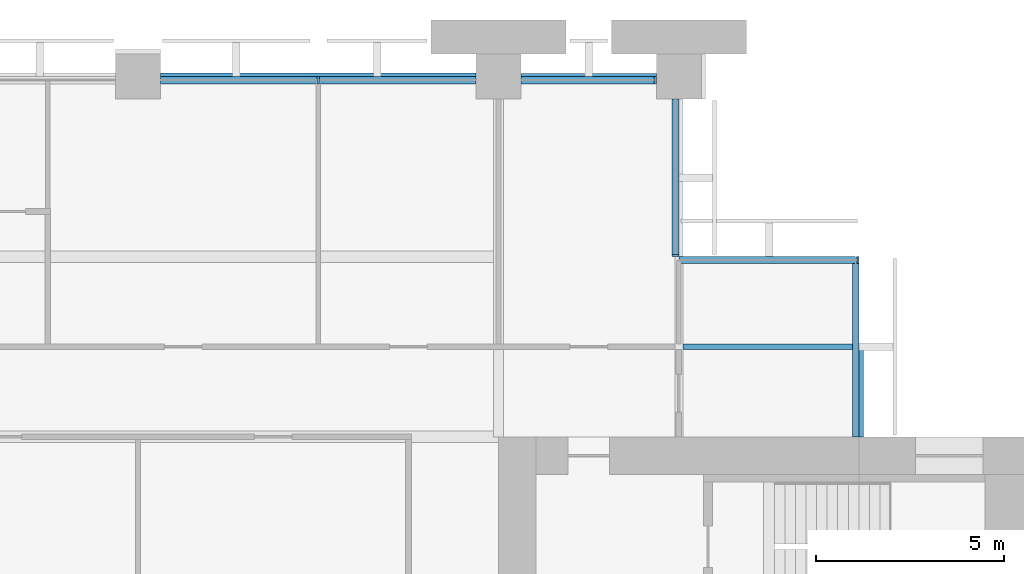
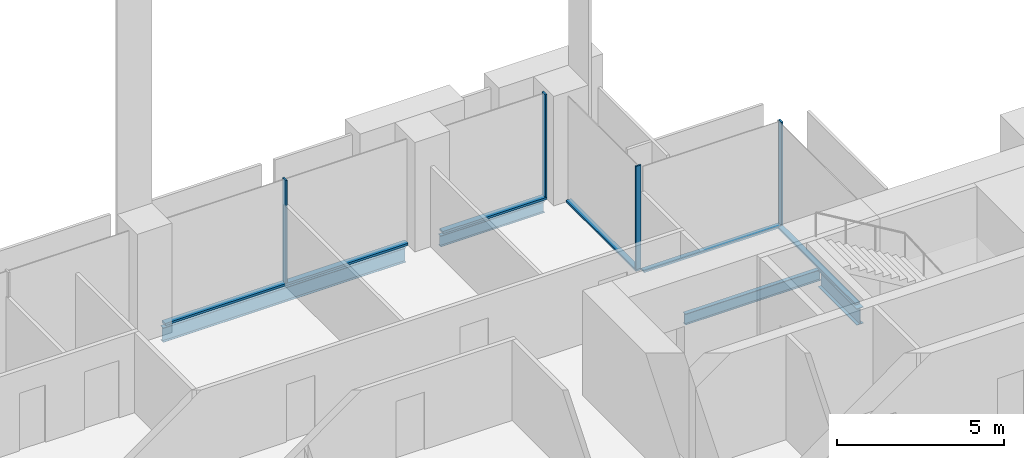
# One storey, part 7 of 14: 9 members, 4 beams, 4 elements without a shape of their own.
"""IFC4 building model written with IfcOpenShell, lengths in metres."""

import ifcopenshell
import ifcopenshell.guid

model = None  # the IFC model being written
_history = None  # IfcOwnerHistory: only IFC2X3 demands one
_inside = {}  # id of a spatial element -> (the spatial element, [elements in it])
_under = {}  # id of a project, library or spatial element -> (it, [spatial elements below it])
_declared = {}  # id of a project -> (the project, [libraries it declares])
_typed = {}  # id of a type object -> (the type object, [elements of that type])
_made_of = {}  # id of a material, layer set ... -> (it, [elements and type objects made of it])


def new_model(schema):
    """Start an empty IFC model of exactly this schema.

    Asked for "IFC4X3", IfcOpenShell would pick the latest addendum, in which some entities
    have other attributes; the version numbers below select the first issue.
    IFC2X3 requires an IfcOwnerHistory on every rooted entity: one is made here for all.
    """
    global model, _history
    if schema == "IFC4X3":
        model = ifcopenshell.file(schema_version=(4, 3, 0, 0))
    else:
        model = ifcopenshell.file(schema=schema)
    _inside.clear()
    _under.clear()
    _declared.clear()
    _typed.clear()
    _made_of.clear()
    _history = None
    if model.schema == "IFC2X3":
        org = make("IfcOrganization", Name="unknown")
        user = make(
            "IfcPersonAndOrganization",
            ThePerson=make("IfcPerson", FamilyName="unknown"),
            TheOrganization=org,
        )
        app = make(
            "IfcApplication",
            ApplicationDeveloper=org,
            Version="unknown",
            ApplicationFullName="unknown",
            ApplicationIdentifier="unknown",
        )
        _history = make(
            "IfcOwnerHistory",
            OwningUser=user,
            OwningApplication=app,
            ChangeAction="ADDED",
            CreationDate=0,
        )
    return model


def make(cls, **values):
    """One entity of the class cls with the attributes given. An attribute that is None is left unset."""
    return model.create_entity(
        cls, **{name: value for name, value in values.items() if value is not None}
    )


def rooted(cls, **values):
    """An entity with a GlobalId (a new one), such as an element, a storey or a relation."""
    return make(cls, GlobalId=ifcopenshell.guid.new(), OwnerHistory=_history, **values)


def si_unit(unit_type, name, prefix=None):
    """IfcSIUnit, for example si_unit("LENGTHUNIT", "METRE", prefix="MILLI")."""
    return make("IfcSIUnit", UnitType=unit_type, Prefix=prefix, Name=name)


def assignment(units):
    """IfcUnitAssignment: the units of a project."""
    return None if units is None else make("IfcUnitAssignment", Units=units)


def point(xyz):
    """IfcCartesianPoint."""
    return None if xyz is None else make("IfcCartesianPoint", Coordinates=xyz)


def direction(xyz):
    """IfcDirection."""
    return None if xyz is None else make("IfcDirection", DirectionRatios=xyz)


def frame(location, z_axis=None, x_axis=None):
    """IfcAxis2Placement3D, a coordinate frame: its origin and axes. An axis left out is left unset."""
    return make(
        "IfcAxis2Placement3D",
        Location=point(location),
        Axis=direction(z_axis),
        RefDirection=direction(x_axis),
    )


def frame_2d(location, x_axis=None):
    """IfcAxis2Placement2D, a coordinate frame in the plane: its origin and x axis."""
    return make(
        "IfcAxis2Placement2D", Location=point(location), RefDirection=direction(x_axis)
    )


def origin():
    """The frame at (0, 0, 0) with its axes left unset."""
    return frame((0.0, 0.0, 0.0))


def origin_2d():
    """The frame at (0, 0) in the plane with its x axis left unset."""
    return frame_2d((0.0, 0.0))


def place(relative_to, where):
    """IfcLocalPlacement: puts the frame where relative to a parent placement (None: the world)."""
    return make(
        "IfcLocalPlacement", PlacementRelTo=relative_to, RelativePlacement=where
    )


def context(
    kind, dimensions, precision=None, world=None, true_north=None, identifier=None
):
    """IfcGeometricRepresentationContext, for example the 3D "Model" context."""
    return make(
        "IfcGeometricRepresentationContext",
        ContextIdentifier=identifier,
        ContextType=kind,
        CoordinateSpaceDimension=dimensions,
        Precision=precision,
        WorldCoordinateSystem=world,
        TrueNorth=true_north,
    )


def subcontext(parent, identifier, kind, view, scale=None):
    """IfcGeometricRepresentationSubContext, for example "Body" below "Model"."""
    return make(
        "IfcGeometricRepresentationSubContext",
        ContextIdentifier=identifier,
        ContextType=kind,
        ParentContext=parent,
        TargetScale=scale,
        TargetView=view,
    )


def project(units=None, contexts=None):
    """IfcProject with its units and contexts."""
    return rooted(
        "IfcProject",
        Name="project",
        RepresentationContexts=contexts,
        UnitsInContext=assignment(units),
    )


def spatial(cls, under=None, at=None, **own):
    """A site, building, storey or space (cls), placed at a placement, below another one or the project."""
    s = rooted(cls, ObjectPlacement=at, **own)
    if under is not None:
        _under.setdefault(under.id(), (under, []))[1].append(s)
    return s


def profile(cls, at=None, kind="AREA", **sizes):
    """A parametric profile (cls). Its sizes go by their IFC names, for example OverallWidth=200.0."""
    return make(cls, ProfileType=kind, Position=at, **sizes)


def rectangle(**sizes):
    """IfcRectangleProfileDef."""
    return profile("IfcRectangleProfileDef", **sizes)


def i_section(**sizes):
    """IfcIShapeProfileDef."""
    return profile("IfcIShapeProfileDef", **sizes)


def extrude(swept, where, along, depth):
    """IfcExtrudedAreaSolid: the profile swept, set in the frame where, extruded along a direction by depth."""
    return make(
        "IfcExtrudedAreaSolid",
        SweptArea=swept,
        Position=where,
        ExtrudedDirection=direction(along),
        Depth=depth,
    )


def shape(context_of_items, identifier, shape_type, items):
    """IfcShapeRepresentation: the items that make up one representation, for example the "Body"."""
    return make(
        "IfcShapeRepresentation",
        ContextOfItems=context_of_items,
        RepresentationIdentifier=identifier,
        RepresentationType=shape_type,
        Items=items,
    )


def material(Name=None, Category=None):
    """IfcMaterial."""
    return make("IfcMaterial", Name=Name, Category=Category)


def material_profile(
    of_material, cross_section, Name=None, Category=None, Priority=None
):
    """IfcMaterialProfile: a cross section and its material."""
    return make(
        "IfcMaterialProfile",
        Name=Name,
        Material=of_material,
        Profile=cross_section,
        Priority=Priority,
        Category=Category,
    )


def profile_set(profiles, Name=None, composite=None):
    """IfcMaterialProfileSet."""
    return make(
        "IfcMaterialProfileSet",
        Name=Name,
        MaterialProfiles=profiles,
        CompositeProfile=composite,
    )


def made_of(thing, what):
    """Note that an element or type object is made of a material, layer set ...; save() writes the relation."""
    if what is not None:
        _made_of.setdefault(what.id(), (what, []))[1].append(thing)
    return thing


def type_object(cls, material=None, **own):
    """A type object (cls), such as IfcWallType, which elements share."""
    return made_of(rooted(cls, **own), material)


def element(
    cls,
    number,
    at=None,
    inside=None,
    cuts=None,
    type_object=None,
    material=None,
    context=None,
    identifier="Body",
    shape_type=None,
    held_by="IfcProductDefinitionShape",
    body=None,
    shapes=None,
    **own,
):
    """One element of the class cls, such as IfcWall. Its Tag is "e" and its number.

    at: its placement. inside: the storey or other place that contains it. cuts: it is an
    opening in that element (IfcRelVoidsElement). A single representation is given by context,
    identifier, shape_type and body (its items); several are given by shapes. held_by: the class
    of the entity that holds the representations. save() writes the other relations.
    """
    e = rooted(cls, Tag="e%d" % number, ObjectPlacement=at, **own)
    if body is not None:
        shapes = [shape(context, identifier, shape_type, body)]
    if shapes is not None:
        e.Representation = make(held_by, Representations=shapes)
    if inside is not None:
        _inside.setdefault(inside.id(), (inside, []))[1].append(e)
    if cuts is not None:
        rooted(
            "IfcRelVoidsElement", RelatingBuildingElement=cuts, RelatedOpeningElement=e
        )
    if type_object is not None:
        _typed.setdefault(type_object.id(), (type_object, []))[1].append(e)
    return made_of(e, material)


def aggregate(whole, parts):
    """IfcRelAggregates: a whole, such as a stair, and the parts it consists of."""
    return rooted("IfcRelAggregates", RelatingObject=whole, RelatedObjects=parts)


def save(model, path):
    """Write the relations noted so far, then the file.

    IfcRelAggregates (storeys below a building ...), IfcRelContainedInSpatialStructure (elements
    in a storey), IfcRelDefinesByType, IfcRelAssociatesMaterial and IfcRelDeclares: one each for
    every whole, place, type object, material and project.
    """
    for whole, parts in _under.values():
        aggregate(whole, parts)
    for where, things in _inside.values():
        rooted(
            "IfcRelContainedInSpatialStructure",
            RelatedElements=things,
            RelatingStructure=where,
        )
    for kind, things in _typed.values():
        rooted("IfcRelDefinesByType", RelatedObjects=things, RelatingType=kind)
    for what, things in _made_of.values():
        rooted("IfcRelAssociatesMaterial", RelatedObjects=things, RelatingMaterial=what)
    for by, libraries in _declared.values():
        rooted("IfcRelDeclares", RelatingContext=by, RelatedDefinitions=libraries)
    model.write(path)


model = new_model("IFC4")

# Units and contexts
model_context = context("Model", 3, precision=1e-05, world=origin(), true_north=direction((0.0, 1.0)))
body_context = subcontext(model_context, "Body", "Model", "MODEL_VIEW")
ifc_project = project(units=[si_unit("LENGTHUNIT", "METRE"), si_unit("AREAUNIT", "SQUARE_METRE"), si_unit("VOLUMEUNIT", "CUBIC_METRE"), si_unit("PLANEANGLEUNIT", "RADIAN"), si_unit("MASSUNIT", "GRAM", prefix="KILO")], contexts=[model_context])

# Site, building, storey
site_placement = place(None, origin())
site = spatial("IfcSite", under=ifc_project, at=site_placement, CompositionType="ELEMENT")
building_placement = place(site_placement, origin())
building = spatial("IfcBuilding", under=site, at=building_placement, Name="Baori Bourse Tower", CompositionType="ELEMENT")
storey_placement = place(building_placement, frame((0.0, 0.0, 156.10009765625)))
storey = spatial("IfcBuildingStorey", under=building, at=storey_placement, Name="L34", CompositionType="ELEMENT", Elevation=156.10009765625)

# Curtain wall, members
ifc_material_1 = material(Name="Pale anodised aluminium", Category="aluminium")
curtain_wall_type_1 = type_object("IfcCurtainWallType", Name="CW1 Curtain wall", PredefinedType="NOTDEFINED", material=ifc_material_1)
curtain_wall_1_placement = place(storey_placement, origin())
curtain_wall_1 = element("IfcCurtainWall", 1, at=curtain_wall_1_placement, inside=storey, type_object=curtain_wall_type_1, Name="Curtain wall CW1 L34 4", PredefinedType="NOTDEFINED")
ifc_material_2 = material(Name="Pale anodised aluminium", Category="aluminium")
ifc_material_profile_1 = material_profile(ifc_material_2, rectangle(XDim=0.199951171875, YDim=0.06005859375, at=origin_2d()), Name="Mullion 60x200")
ifc_profile_set_1 = profile_set([ifc_material_profile_1], Name="Pale anodised aluminium")
member_type_1 = type_object("IfcMemberType", Name="CW1 Curtain wall mullion", PredefinedType="MULLION", material=ifc_profile_set_1)
member_1_placement = place(storey_placement, frame((42.570068359375, 47.89990234375, 0.079833984375), z_axis=(0.0, 0.0, 1.0), x_axis=(0.0, -1.0, 0.0)))
member_1 = element("IfcMember", 2, at=member_1_placement, type_object=member_type_1, Name="Curtain wall CW1 mullion", PredefinedType="MULLION", context=body_context, shape_type="SweptSolid", body=[
    extrude(rectangle(XDim=0.199951171875, YDim=0.06005859375, at=origin_2d()), origin(), (0.0, 0.0, 1.0), 3.760009765625),
])
member_2_placement = place(storey_placement, frame((33.60009765625, 47.89990234375, 0.079833984375), z_axis=(0.0, 0.0, 1.0), x_axis=(0.0, -1.0, 0.0)))
member_2 = element("IfcMember", 3, at=member_2_placement, type_object=member_type_1, Name="Curtain wall CW1 mullion", PredefinedType="MULLION", context=body_context, shape_type="SweptSolid", body=[
    extrude(rectangle(XDim=0.199951171875, YDim=0.06005859375, at=origin_2d()), origin(), (0.0, 0.0, 1.0), 3.760009765625),
])
ifc_material_3 = material(Name="Pale anodised aluminium", Category="aluminium")
ifc_material_profile_2 = material_profile(ifc_material_3, rectangle(XDim=0.199951171875, YDim=0.080078125, at=origin_2d()), Name="Transom 80x200")
ifc_profile_set_2 = profile_set([ifc_material_profile_2], Name="Pale anodised aluminium")
member_type_2 = type_object("IfcMemberType", Name="CW1 Curtain wall transom", PredefinedType="USERDEFINED", material=ifc_profile_set_2)
member_3_placement = place(storey_placement, frame((42.60009765625, 47.89990234375, 0.039794921875), z_axis=(-1.0, 0.0, 0.0), x_axis=(0.0, -1.0, 0.0)))
member_3 = element("IfcMember", 4, at=member_3_placement, type_object=member_type_2, Name="Curtain wall CW1 sill rail", ObjectType="TRANSOM", PredefinedType="USERDEFINED", context=body_context, shape_type="SweptSolid", body=[
    extrude(rectangle(XDim=0.199951171875, YDim=0.080078125, at=origin_2d()), origin(), (0.0, 0.0, 1.0), 3.60009765625),
])
member_4_placement = place(storey_placement, frame((37.800048828125, 47.89990234375, 0.039794921875), z_axis=(-1.0, 0.0, 0.0), x_axis=(0.0, -1.0, 0.0)))
member_4 = element("IfcMember", 5, at=member_4_placement, type_object=member_type_2, Name="Curtain wall CW1 sill rail", ObjectType="TRANSOM", PredefinedType="USERDEFINED", context=body_context, shape_type="SweptSolid", body=[
    extrude(rectangle(XDim=0.199951171875, YDim=0.080078125, at=origin_2d()), origin(), (0.0, 0.0, 1.0), 8.400146484375),
])
aggregate(curtain_wall_1, [member_3, member_1, member_4, member_2])

# Curtain wall, member
ifc_material_4 = material(Name="Pale anodised aluminium", Category="aluminium")
curtain_wall_type_2 = type_object("IfcCurtainWallType", Name="CW2 Curtain wall", PredefinedType="NOTDEFINED", material=ifc_material_4)
curtain_wall_2_placement = place(storey_placement, origin())
curtain_wall_2 = element("IfcCurtainWall", 6, at=curtain_wall_2_placement, inside=storey, type_object=curtain_wall_type_2, Name="Curtain wall CW2 L34 2", PredefinedType="NOTDEFINED")
ifc_material_5 = material(Name="Pale anodised aluminium", Category="aluminium")
ifc_material_profile_3 = material_profile(ifc_material_5, rectangle(XDim=0.179931640625, YDim=0.054931640625, at=origin_2d()), Name="Mullion 55x180")
ifc_profile_set_3 = profile_set([ifc_material_profile_3], Name="Pale anodised aluminium")
member_type_3 = type_object("IfcMemberType", Name="CW2 Curtain wall mullion", PredefinedType="MULLION", material=ifc_profile_set_3)
member_5_placement = place(storey_placement, frame((47.972412109375, 43.110107421875, 0.06982421875), z_axis=(0.0, 0.0, 1.0), x_axis=(0.0, -1.0, 0.0)))
member_5 = element("IfcMember", 7, at=member_5_placement, type_object=member_type_3, Name="Curtain wall CW2 mullion", PredefinedType="MULLION", context=body_context, shape_type="SweptSolid", body=[
    extrude(rectangle(XDim=0.179931640625, YDim=0.054931640625, at=origin_2d()), origin(), (0.0, 0.0, 1.0), 3.77001953125),
])

curtain_wall_3_placement = place(storey_placement, origin())
curtain_wall_3 = element("IfcCurtainWall", 8, at=curtain_wall_3_placement, inside=storey, type_object=curtain_wall_type_2, Name="Curtain wall CW2 L34 3", PredefinedType="NOTDEFINED")
member_6_placement = place(storey_placement, frame((43.110107421875, 43.2275390625, 0.06982421875), z_axis=(0.0, 0.0, 1.0), x_axis=(-1.0, 0.0, 0.0)))
member_6 = element("IfcMember", 9, at=member_6_placement, type_object=member_type_3, Name="Curtain wall CW2 mullion", PredefinedType="MULLION", context=body_context, shape_type="SweptSolid", body=[
    extrude(rectangle(XDim=0.179931640625, YDim=0.054931640625, at=origin_2d()), origin(), (0.0, 0.0, 1.0), 3.77001953125),
])

curtain_wall_4_placement = place(storey_placement, origin())
curtain_wall_4 = element("IfcCurtainWall", 10, at=curtain_wall_4_placement, inside=storey, type_object=curtain_wall_type_2, Name="Curtain wall CW2 L34 1", PredefinedType="NOTDEFINED")
ifc_material_6 = material(Name="Pale anodised aluminium", Category="aluminium")
ifc_material_profile_4 = material_profile(ifc_material_6, rectangle(XDim=0.179931640625, YDim=0.070068359375, at=origin_2d()), Name="Transom 70x180")
ifc_profile_set_4 = profile_set([ifc_material_profile_4], Name="Pale anodised aluminium")
member_type_4 = type_object("IfcMemberType", Name="CW2 Curtain wall transom", PredefinedType="USERDEFINED", material=ifc_profile_set_4)
member_7_placement = place(storey_placement, frame((47.909912109375, 38.39990234375, 0.034912109375), z_axis=(0.0, 1.0, 0.0), x_axis=(-1.0, 0.0, 0.0)))
member_7 = element("IfcMember", 11, at=member_7_placement, type_object=member_type_4, Name="Curtain wall CW2 sill rail", ObjectType="TRANSOM", PredefinedType="USERDEFINED", context=body_context, shape_type="SweptSolid", body=[
    extrude(rectangle(XDim=0.179931640625, YDim=0.070068359375, at=origin_2d()), origin(), (0.0, 0.0, 1.0), 4.800048828125),
])
aggregate(curtain_wall_4, [member_7])

# Member
member_8_placement = place(storey_placement, frame((48.0, 43.110107421875, 0.034912109375), z_axis=(-1.0, 0.0, 0.0), x_axis=(0.0, -1.0, 0.0)))
member_8 = element("IfcMember", 12, at=member_8_placement, type_object=member_type_4, Name="Curtain wall CW2 sill rail", ObjectType="TRANSOM", PredefinedType="USERDEFINED", context=body_context, shape_type="SweptSolid", body=[
    extrude(rectangle(XDim=0.179931640625, YDim=0.070068359375, at=origin_2d()), origin(), (0.0, 0.0, 1.0), 4.800048828125),
])

aggregate(curtain_wall_2, [member_8, member_5])

member_9_placement = place(storey_placement, frame((43.110107421875, 43.199951171875, 0.034912109375), z_axis=(0.0, 1.0, 0.0), x_axis=(-1.0, 0.0, 0.0)))
member_9 = element("IfcMember", 13, at=member_9_placement, type_object=member_type_4, Name="Curtain wall CW2 sill rail", ObjectType="TRANSOM", PredefinedType="USERDEFINED", context=body_context, shape_type="SweptSolid", body=[
    extrude(rectangle(XDim=0.179931640625, YDim=0.070068359375, at=origin_2d()), origin(), (0.0, 0.0, 1.0), 4.199951171875),
])

aggregate(curtain_wall_3, [member_9, member_6])

# Beams
ifc_material_7 = material(Name="Steel A992 Gr 50", Category="steel")
ifc_material_profile_5 = material_profile(ifc_material_7, i_section(OverallWidth=0.227783203125, OverallDepth=0.60205078125, WebThickness=0.010498046875, FlangeThickness=0.014892578125, at=origin_2d()), Name="W24x68")
ifc_profile_set_5 = profile_set([ifc_material_profile_5], Name="Steel A992 Gr 50")
beam_type_1 = type_object("IfcBeamType", Name="Core bracket W24x68", PredefinedType="BEAM", material=ifc_profile_set_5)
beam_1_placement = place(storey_placement, frame((48.0, 38.39990234375, -0.461181640625), z_axis=(0.0, 1.0, 0.0), x_axis=(-1.0, 0.0, 0.0)))
element("IfcBeam", 14, at=beam_1_placement, inside=storey, type_object=beam_type_1, Name="Core bracket L34", PredefinedType="BEAM", context=body_context, shape_type="SweptSolid", body=[
    extrude(i_section(OverallWidth=0.227783203125, OverallDepth=0.60205078125, WebThickness=0.010498046875, FlangeThickness=0.014892578125, at=origin_2d()), origin(), (0.0, 0.0, 1.0), 2.329833984375),
])
ifc_material_8 = material(Name="Steel A992 Gr 50", Category="steel")
ifc_material_profile_6 = material_profile(ifc_material_8, i_section(OverallWidth=0.140380859375, OverallDepth=0.40380859375, WebThickness=0.007080078125, FlangeThickness=0.01123046875, at=origin_2d()), Name="W16x31")
ifc_profile_set_6 = profile_set([ifc_material_profile_6], Name="Steel A992 Gr 50")
beam_type_2 = type_object("IfcBeamType", Name="Edge beam W16x31", PredefinedType="BEAM", material=ifc_profile_set_6)
beam_2_placement = place(storey_placement, frame((39.0, 48.0, -0.362060546875), z_axis=(1.0, 0.0, 0.0), x_axis=(0.0, 1.0, 0.0)))
element("IfcBeam", 15, at=beam_2_placement, inside=storey, type_object=beam_type_2, Name="Edge beam L34", PredefinedType="BEAM", context=body_context, shape_type="SweptSolid", body=[
    extrude(i_section(OverallWidth=0.140380859375, OverallDepth=0.40380859375, WebThickness=0.007080078125, FlangeThickness=0.01123046875, at=origin_2d()), origin(), (0.0, 0.0, 1.0), 3.60009765625),
])
ifc_material_9 = material(Name="Steel A992 Gr 50", Category="steel")
ifc_material_profile_7 = material_profile(ifc_material_9, i_section(OverallWidth=0.1650390625, OverallDepth=0.52587890625, WebThickness=0.0087890625, FlangeThickness=0.011474609375, at=origin_2d()), Name="W21x44")
ifc_profile_set_7 = profile_set([ifc_material_profile_7], Name="Steel A992 Gr 50")
beam_type_3 = type_object("IfcBeamType", Name="Edge beam W21x44", PredefinedType="BEAM", material=ifc_profile_set_7)
beam_3_placement = place(storey_placement, frame((29.39990234375, 48.0, -0.423095703125), z_axis=(1.0, 0.0, 0.0), x_axis=(0.0, 1.0, 0.0)))
element("IfcBeam", 16, at=beam_3_placement, inside=storey, type_object=beam_type_3, Name="Edge beam L34", PredefinedType="BEAM", context=body_context, shape_type="SweptSolid", body=[
    extrude(i_section(OverallWidth=0.1650390625, OverallDepth=0.52587890625, WebThickness=0.0087890625, FlangeThickness=0.011474609375, at=origin_2d()), origin(), (0.0, 0.0, 1.0), 8.400146484375),
])
ifc_material_10 = material(Name="Steel A992 Gr 50", Category="steel")
ifc_material_profile_8 = material_profile(ifc_material_10, i_section(OverallWidth=0.140380859375, OverallDepth=0.40380859375, WebThickness=0.007080078125, FlangeThickness=0.01123046875, at=origin_2d()), Name="W16x31")
ifc_profile_set_8 = profile_set([ifc_material_profile_8], Name="Steel A992 Gr 50")
beam_type_4 = type_object("IfcBeamType", Name="Trimmer beam W16x31", PredefinedType="BEAM", material=ifc_profile_set_8)
beam_4_placement = place(storey_placement, frame((43.3046875, 40.800048828125, -0.362060546875), z_axis=(1.0, 0.0, 0.0), x_axis=(0.0, 1.0, 0.0)))
element("IfcBeam", 17, at=beam_4_placement, inside=storey, type_object=beam_type_4, Name="Trimmer beam L34", PredefinedType="BEAM", context=body_context, shape_type="SweptSolid", body=[
    extrude(i_section(OverallWidth=0.140380859375, OverallDepth=0.40380859375, WebThickness=0.007080078125, FlangeThickness=0.01123046875, at=origin_2d()), origin(), (0.0, 0.0, 1.0), 4.6953125),
])

save(model, "model.ifc")
